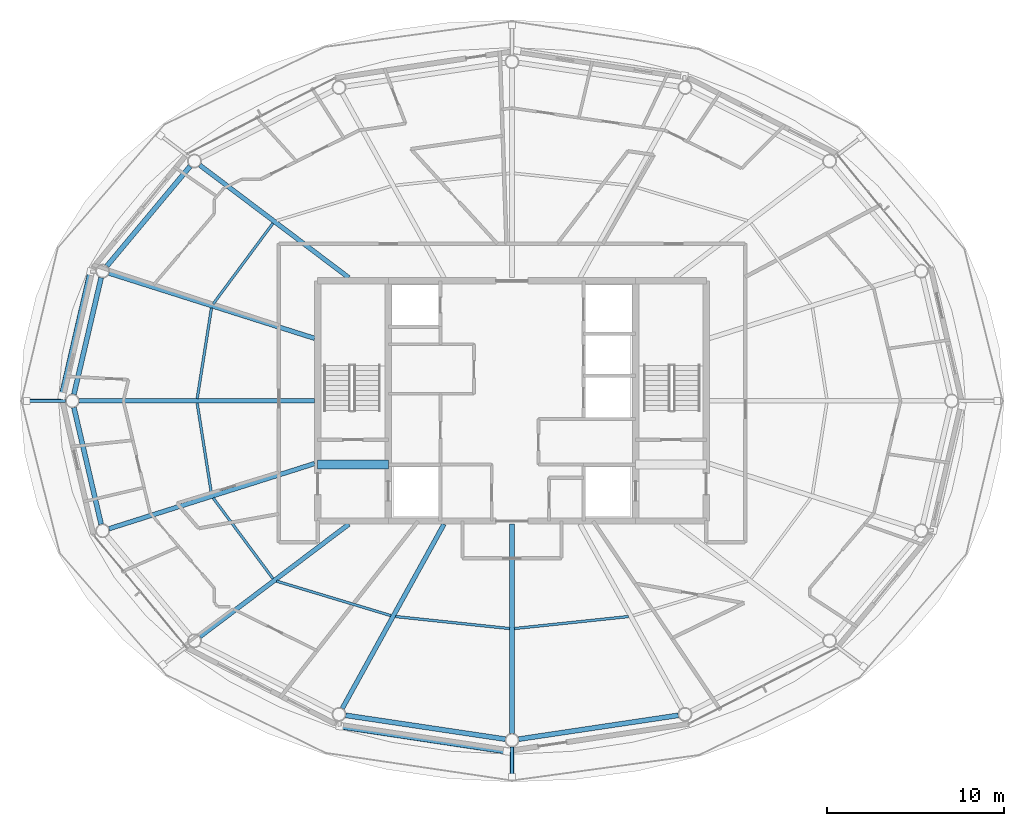
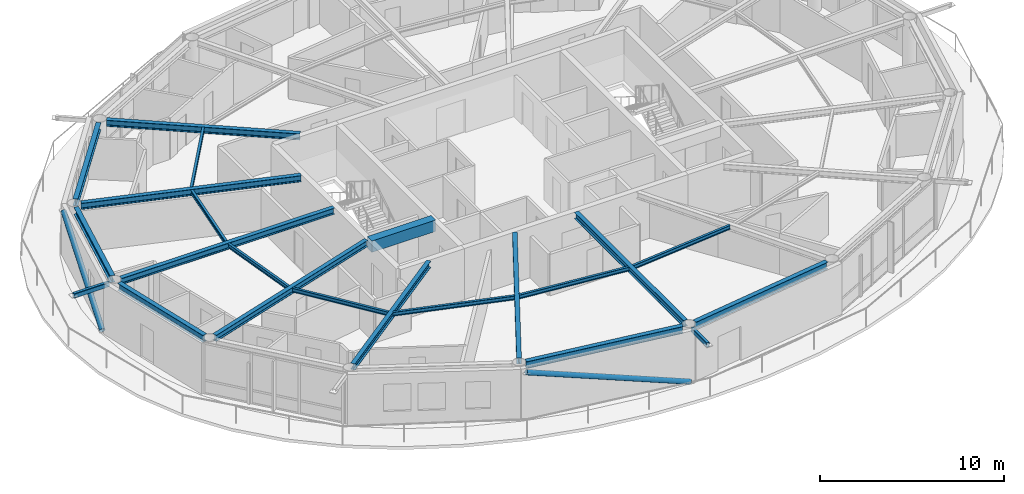
# One storey, part 4 of 22: 20 beams, 4 members.
"""IFC4 building model written with IfcOpenShell, lengths in metres."""

from ifc_helpers import new_model, si_unit, direction, frame, origin, origin_2d, place, context, subcontext, project, spatial, rectangle, hollow_rectangle, hollow_circle, i_section, extrude, material, material_profile, profile_set, type_object, element, save


model = new_model("IFC4")

# Units and contexts
model_context = context("Model", 3, precision=1e-05, world=origin(), true_north=direction((0.0, 1.0)))
body_context = subcontext(model_context, "Body", "Model", "MODEL_VIEW")
ifc_project = project(units=[si_unit("LENGTHUNIT", "METRE"), si_unit("AREAUNIT", "SQUARE_METRE"), si_unit("VOLUMEUNIT", "CUBIC_METRE"), si_unit("PLANEANGLEUNIT", "RADIAN"), si_unit("MASSUNIT", "GRAM", prefix="KILO")], contexts=[model_context])

# Site, building, storey
site_placement = place(None, origin())
site = spatial("IfcSite", under=ifc_project, at=site_placement, CompositionType="ELEMENT")
building_placement = place(site_placement, origin())
building = spatial("IfcBuilding", under=site, at=building_placement, Name="Sarneth Arch Tower", CompositionType="ELEMENT")
storey_placement = place(building_placement, frame((0.0, 0.0, 283.800048828125)))
storey = spatial("IfcBuildingStorey", under=building, at=storey_placement, Name="L73", CompositionType="ELEMENT", Elevation=283.800048828125)

# Beams
ifc_material_1 = material(Name="Steel S355", Category="steel")
ifc_material_profile_1 = material_profile(ifc_material_1, i_section(OverallWidth=0.14794921875, OverallDepth=0.26611328125, WebThickness=0.007568359375, FlangeThickness=0.012939453125, FilletRadius=0.012939453125, at=origin_2d()), Name="W250x44.8")
ifc_profile_set_1 = profile_set([ifc_material_profile_1], Name="Steel S355")
beam_type_1 = type_object("IfcBeamType", Name="BM-JOIST-250", PredefinedType="JOIST", material=ifc_profile_set_1)
beam_1_placement = place(storey_placement, frame((34.469482421875, 52.056396484375, 3.237060546875), z_axis=(-0.595431044136, -0.803406417499, 0.0), x_axis=(0.803406417499, -0.595431044136, 0.0)))
element("IfcBeam", 1, at=beam_1_placement, inside=storey, type_object=beam_type_1, Name="L73 Secondary floor joist 07", PredefinedType="JOIST", context=body_context, shape_type="SweptSolid", body=[
    extrude(i_section(OverallWidth=0.14794921875, OverallDepth=0.26611328125, WebThickness=0.007568359375, FlangeThickness=0.012939453125, FilletRadius=0.012939453125, at=origin_2d()), origin(), (0.0, 0.0, 1.0), 5.680419921875),
])
for number, where, z_axis, x_axis, name in (
    (2, (30.989501953125, 47.259765625, 3.237060546875), (-0.155520890899, -0.987832603478, 0.0), (0.987832603478, -0.155520890899, 0.0), "L73 Secondary floor joist 08"),
    (3, (30.181640625, 41.87158203125, 3.237060546875), (0.155520890899, -0.987832603478, 0.0), (0.987832603478, 0.155520890899, 0.0), "L73 Secondary floor joist 09"),
):
    element("IfcBeam", number, at=place(storey_placement, frame(where, z_axis=z_axis, x_axis=x_axis)), inside=storey, type_object=beam_type_1, Name=name, PredefinedType="JOIST", context=body_context, shape_type="SweptSolid", body=[
        extrude(i_section(OverallWidth=0.14794921875, OverallDepth=0.26611328125, WebThickness=0.007568359375, FlangeThickness=0.012939453125, FilletRadius=0.012939453125, at=origin_2d()), origin(), (0.0, 0.0, 1.0), 5.194580078125),
    ])
beam_2_placement = place(storey_placement, frame((31.087158203125, 36.50732421875, 3.237060546875), z_axis=(0.595431044136, -0.803406417499, 0.0), x_axis=(0.803406417499, 0.595431044136, 0.0)))
element("IfcBeam", 4, at=beam_2_placement, inside=storey, type_object=beam_type_1, Name="L73 Secondary floor joist 10", PredefinedType="JOIST", context=body_context, shape_type="SweptSolid", body=[
    extrude(i_section(OverallWidth=0.14794921875, OverallDepth=0.26611328125, WebThickness=0.007568359375, FlangeThickness=0.012939453125, FilletRadius=0.012939453125, at=origin_2d()), origin(), (0.0, 0.0, 1.0), 5.680419921875),
])
beam_3_placement = place(storey_placement, frame((34.67138671875, 31.801513671875, 3.237060546875), z_axis=(0.957373106971, -0.288854174367, 0.0), x_axis=(0.288854174367, 0.957373106971, 0.0)))
element("IfcBeam", 5, at=beam_3_placement, inside=storey, type_object=beam_type_1, Name="L73 Secondary floor joist 11", PredefinedType="JOIST", context=body_context, shape_type="SweptSolid", body=[
    extrude(i_section(OverallWidth=0.14794921875, OverallDepth=0.26611328125, WebThickness=0.007568359375, FlangeThickness=0.012939453125, FilletRadius=0.012939453125, at=origin_2d()), origin(), (0.0, 0.0, 1.0), 6.76416015625),
])
for number, where, z_axis, x_axis, name in (
    (6, (41.40087890625, 29.79638671875, 3.237060546875), (0.994526818736, -0.104481609938, 0.0), (0.104481609938, 0.994526818736, 0.0), "L73 Secondary floor joist 12"),
    (7, (48.12939453125, 29.11669921875, 3.237060546875), (0.994526818736, 0.104481609938, 0.0), (-0.104481609938, 0.994526818736, 0.0), "L73 Secondary floor joist 13"),
):
    element("IfcBeam", number, at=place(storey_placement, frame(where, z_axis=z_axis, x_axis=x_axis)), inside=storey, type_object=beam_type_1, Name=name, PredefinedType="JOIST", context=body_context, shape_type="SweptSolid", body=[
        extrude(i_section(OverallWidth=0.14794921875, OverallDepth=0.26611328125, WebThickness=0.007568359375, FlangeThickness=0.012939453125, FilletRadius=0.012939453125, at=origin_2d()), origin(), (0.0, 0.0, 1.0), 6.50537109375),
    ])
ifc_material_2 = material(Name="Concrete C50/60", Category="concrete")
ifc_material_profile_2 = material_profile(ifc_material_2, rectangle(XDim=0.5, YDim=0.75, at=origin_2d()), Name="RC-500x750")
ifc_profile_set_2 = profile_set([ifc_material_profile_2], Name="Concrete C50/60")
beam_type_2 = type_object("IfcBeamType", Name="BM-LINTEL-RC", PredefinedType="LINTEL", material=ifc_profile_set_2)
beam_4_placement = place(storey_placement, frame((37.0, 38.39990234375, 2.994873046875), z_axis=(1.0, 0.0, 0.0), x_axis=(0.0, 1.0, 0.0)))
element("IfcBeam", 8, at=beam_4_placement, inside=storey, type_object=beam_type_2, Name="L73 Core coupling lintel W", PredefinedType="LINTEL", context=body_context, shape_type="SweptSolid", body=[
    extrude(rectangle(XDim=0.5, YDim=0.75, at=origin_2d()), origin(), (0.0, 0.0, 1.0), 4.0),
])
ifc_material_3 = material(Name="Steel S355", Category="steel")
ifc_material_profile_3 = material_profile(ifc_material_3, i_section(OverallWidth=0.260009765625, OverallDepth=0.4150390625, WebThickness=0.010009765625, FlangeThickness=0.016845703125, FilletRadius=0.01611328125, at=origin_2d()), Name="W410x100")
ifc_profile_set_3 = profile_set([ifc_material_profile_3], Name="Steel S355")
beam_type_3 = type_object("IfcBeamType", Name="BM-RAD-410A", PredefinedType="BEAM", material=ifc_profile_set_3)
beam_5_placement = place(storey_placement, frame((38.76513671875, 48.97509765625, 3.162353515625), z_axis=(-0.797969745164, 0.602697507713, 0.0), x_axis=(-0.602697507713, -0.797969745164, 0.0)))
element("IfcBeam", 9, at=beam_5_placement, inside=storey, type_object=beam_type_3, Name="L73 Radial floor girder 07", PredefinedType="BEAM", context=body_context, shape_type="SweptSolid", body=[
    extrude(i_section(OverallWidth=0.260009765625, OverallDepth=0.4150390625, WebThickness=0.010009765625, FlangeThickness=0.016845703125, FilletRadius=0.01611328125, at=origin_2d()), origin(), (0.0, 0.0, 1.0), 10.572265625),
])
beam_6_placement = place(storey_placement, frame((36.824951171875, 45.5439453125, 3.162353515625), z_axis=(-0.953213623044, 0.302297517096, 0.0), x_axis=(-0.302297517096, -0.953213623044, 0.0)))
element("IfcBeam", 10, at=beam_6_placement, inside=storey, type_object=beam_type_3, Name="L73 Radial floor girder 08", PredefinedType="BEAM", context=body_context, shape_type="SweptSolid", body=[
    extrude(i_section(OverallWidth=0.260009765625, OverallDepth=0.4150390625, WebThickness=0.010009765625, FlangeThickness=0.016845703125, FilletRadius=0.01611328125, at=origin_2d()), origin(), (0.0, 0.0, 1.0), 12.201416015625),
])
beam_7_placement = place(storey_placement, frame((36.824951171875, 42.0, 3.162353515625), z_axis=(-1.0, 0.0, 0.0), x_axis=(0.0, -1.0, 0.0)))
element("IfcBeam", 11, at=beam_7_placement, inside=storey, type_object=beam_type_3, Name="L73 Radial floor girder 09", PredefinedType="BEAM", context=body_context, shape_type="SweptSolid", body=[
    extrude(i_section(OverallWidth=0.260009765625, OverallDepth=0.4150390625, WebThickness=0.010009765625, FlangeThickness=0.016845703125, FilletRadius=0.01611328125, at=origin_2d()), origin(), (0.0, 0.0, 1.0), 13.3271484375),
])
beam_8_placement = place(storey_placement, frame((36.824951171875, 38.4560546875, 3.162353515625), z_axis=(-0.953213623044, -0.302297517096, 0.0), x_axis=(0.302297517096, -0.953213623044, 0.0)))
element("IfcBeam", 12, at=beam_8_placement, inside=storey, type_object=beam_type_3, Name="L73 Radial floor girder 10", PredefinedType="BEAM", context=body_context, shape_type="SweptSolid", body=[
    extrude(i_section(OverallWidth=0.260009765625, OverallDepth=0.4150390625, WebThickness=0.010009765625, FlangeThickness=0.016845703125, FilletRadius=0.01611328125, at=origin_2d()), origin(), (0.0, 0.0, 1.0), 12.201416015625),
])
beam_9_placement = place(storey_placement, frame((38.76513671875, 35.02490234375, 3.162353515625), z_axis=(-0.797969745164, -0.602697507713, 0.0), x_axis=(0.602697507713, -0.797969745164, 0.0)))
element("IfcBeam", 13, at=beam_9_placement, inside=storey, type_object=beam_type_3, Name="L73 Radial floor girder 11", PredefinedType="BEAM", context=body_context, shape_type="SweptSolid", body=[
    extrude(i_section(OverallWidth=0.260009765625, OverallDepth=0.4150390625, WebThickness=0.010009765625, FlangeThickness=0.016845703125, FilletRadius=0.01611328125, at=origin_2d()), origin(), (0.0, 0.0, 1.0), 10.572265625),
])
beam_10_placement = place(storey_placement, frame((44.150146484375, 35.02490234375, 3.162353515625), z_axis=(-0.483231193732, -0.875492783182, 0.0), x_axis=(0.875492783182, -0.483231193732, 0.0)))
element("IfcBeam", 14, at=beam_10_placement, inside=storey, type_object=beam_type_3, Name="L73 Radial floor girder 12", PredefinedType="BEAM", context=body_context, shape_type="SweptSolid", body=[
    extrude(i_section(OverallWidth=0.260009765625, OverallDepth=0.4150390625, WebThickness=0.010009765625, FlangeThickness=0.016845703125, FilletRadius=0.01611328125, at=origin_2d()), origin(), (0.0, 0.0, 1.0), 11.913330078125),
])
beam_11_placement = place(storey_placement, frame((48.0, 35.02490234375, 3.162353515625), z_axis=(0.0, -1.0, 0.0), x_axis=(1.0, 0.0, 0.0)))
element("IfcBeam", 15, at=beam_11_placement, inside=storey, type_object=beam_type_3, Name="L73 Radial floor girder 13", PredefinedType="BEAM", context=body_context, shape_type="SweptSolid", body=[
    extrude(i_section(OverallWidth=0.260009765625, OverallDepth=0.4150390625, WebThickness=0.010009765625, FlangeThickness=0.016845703125, FilletRadius=0.01611328125, at=origin_2d()), origin(), (0.0, 0.0, 1.0), 11.843994140625),
])
ifc_material_4 = material(Name="Steel S355", Category="steel")
ifc_material_profile_4 = material_profile(ifc_material_4, i_section(OverallWidth=0.280029296875, OverallDepth=0.462890625, WebThickness=0.0107421875, FlangeThickness=0.017333984375, FilletRadius=0.01806640625, at=origin_2d()), Name="W460x113")
ifc_profile_set_4 = profile_set([ifc_material_profile_4], Name="Steel S355")
beam_type_4 = type_object("IfcBeamType", Name="BM-RAD-460A", PredefinedType="BEAM", material=ifc_profile_set_4)
beam_12_placement = place(storey_placement, frame((29.78076171875, 55.283935546875, 3.138427734375), z_axis=(-0.640377192996, -0.768060577487, 0.0), x_axis=(0.768060577487, -0.640377192996, 0.0)))
element("IfcBeam", 16, at=beam_12_placement, inside=storey, type_object=beam_type_4, Name="L73 Perimeter spandrel beam 07", PredefinedType="BEAM", context=body_context, shape_type="SweptSolid", body=[
    extrude(i_section(OverallWidth=0.280029296875, OverallDepth=0.462890625, WebThickness=0.0107421875, FlangeThickness=0.017333984375, FilletRadius=0.01806640625, at=origin_2d()), origin(), (0.0, 0.0, 1.0), 7.34814453125),
])
for number, where, z_axis, x_axis, name in (
    (17, (24.74462890625, 48.9765625, 3.138427734375), (-0.227227339933, -0.973841740729, 0.0), (0.973841740729, -0.227227339933, 0.0), "L73 Perimeter spandrel beam 08"),
    (18, (23.203369140625, 41.62890625, 3.138427734375), (0.227227339933, -0.973841740729, 0.0), (0.973841740729, 0.227227339933, 0.0), "L73 Perimeter spandrel beam 09"),
):
    element("IfcBeam", number, at=place(storey_placement, frame(where, z_axis=z_axis, x_axis=x_axis)), inside=storey, type_object=beam_type_4, Name=name, PredefinedType="BEAM", context=body_context, shape_type="SweptSolid", body=[
        extrude(i_section(OverallWidth=0.280029296875, OverallDepth=0.462890625, WebThickness=0.0107421875, FlangeThickness=0.017333984375, FilletRadius=0.01806640625, at=origin_2d()), origin(), (0.0, 0.0, 1.0), 6.782958984375),
    ])
for number, where, z_axis, x_axis, name in (
    (19, (38.5859375, 24.205322265625, 3.138427734375), (0.989040174637, -0.147646648973, 0.0), (0.147646648973, 0.989040174637, 0.0), "L73 Perimeter spandrel beam 12"),
    (20, (48.376708984375, 22.856201171875, 3.138427734375), (0.989040174637, 0.147646648973, 0.0), (-0.147646648973, 0.989040174637, 0.0), "L73 Perimeter spandrel beam 13"),
):
    element("IfcBeam", number, at=place(storey_placement, frame(where, z_axis=z_axis, x_axis=x_axis)), inside=storey, type_object=beam_type_4, Name=name, PredefinedType="BEAM", context=body_context, shape_type="SweptSolid", body=[
        extrude(i_section(OverallWidth=0.280029296875, OverallDepth=0.462890625, WebThickness=0.0107421875, FlangeThickness=0.017333984375, FilletRadius=0.01806640625, at=origin_2d()), origin(), (0.0, 0.0, 1.0), 9.137451171875),
    ])

# Members
ifc_material_5 = material(Name="Steel S355", Category="steel")
ifc_material_profile_5 = material_profile(ifc_material_5, hollow_rectangle(XDim=0.199951171875, YDim=0.300048828125, WallThickness=0.012451171875, InnerFilletRadius=0.018798828125, OuterFilletRadius=0.03125, at=origin_2d()), Name="RHS300x200x12.5")
ifc_profile_set_5 = profile_set([ifc_material_profile_5], Name="Steel S355")
member_type_1 = type_object("IfcMemberType", Name="MEM-CANT-STRUT", PredefinedType="STRUT", material=ifc_profile_set_5)
member_1_placement = place(storey_placement, frame((22.73583984375, 42.0, 3.2099609375), z_axis=(-1.0, 0.0, 0.0), x_axis=(0.0, -1.0, 0.0)))
element("IfcMember", 21, at=member_1_placement, inside=storey, type_object=member_type_1, Name="L73 Balcony cantilever bracket 09", PredefinedType="STRUT", context=body_context, shape_type="SweptSolid", body=[
    extrude(hollow_rectangle(XDim=0.199951171875, YDim=0.300048828125, WallThickness=0.012451171875, InnerFilletRadius=0.018798828125, OuterFilletRadius=0.03125, at=origin_2d()), origin(), (0.0, 0.0, 1.0), 2.20556640625),
])
member_2_placement = place(storey_placement, frame((48.0, 22.4189453125, 3.2099609375), z_axis=(0.0, -1.0, 0.0), x_axis=(1.0, 0.0, 0.0)))
element("IfcMember", 22, at=member_2_placement, inside=storey, type_object=member_type_1, Name="L73 Balcony cantilever bracket 13", PredefinedType="STRUT", context=body_context, shape_type="SweptSolid", body=[
    extrude(hollow_rectangle(XDim=0.199951171875, YDim=0.300048828125, WallThickness=0.012451171875, InnerFilletRadius=0.018798828125, OuterFilletRadius=0.03125, at=origin_2d()), origin(), (0.0, 0.0, 1.0), 1.682373046875),
])
ifc_material_6 = material(Name="Steel S355", Category="steel")
ifc_material_profile_6 = material_profile(ifc_material_6, hollow_circle(Radius=0.162109375, WallThickness=0.012451171875, at=origin_2d()), Name="CHS324x12.5")
ifc_profile_set_6 = profile_set([ifc_material_profile_6], Name="Steel S355")
member_type_2 = type_object("IfcMemberType", Name="MEM-DIAG-BR3", PredefinedType="BRACE", material=ifc_profile_set_6)
member_3_placement = place(storey_placement, frame((22.5234375, 42.292236328125, 0.02001953125), z_axis=(0.207345906073, 0.896276435764, 0.392041102347), x_axis=(-0.974268900284, 0.225388797281, 0.0)))
element("IfcMember", 23, at=member_3_placement, inside=storey, type_object=member_type_2, Name="L73 Perimeter frame diagonal 08", PredefinedType="BRACE", context=body_context, shape_type="SweptSolid", body=[
    extrude(hollow_circle(Radius=0.162109375, WallThickness=0.012451171875, at=origin_2d()), origin(), (0.0, 0.0, 1.0), 7.8359375),
])
member_4_placement = place(storey_placement, frame((47.703369140625, 22.16455078125, 0.02001953125), z_axis=(-0.941478053537, 0.141763681302, 0.305813886821), x_axis=(-0.148897148305, -0.988852688335, 0.0)))
element("IfcMember", 24, at=member_4_placement, inside=storey, type_object=member_type_2, Name="L73 Perimeter frame diagonal 12", PredefinedType="BRACE", context=body_context, shape_type="SweptSolid", body=[
    extrude(hollow_circle(Radius=0.162109375, WallThickness=0.012451171875, at=origin_2d()), origin(), (0.0, 0.0, 1.0), 10.04541015625),
])

save(model, "model.ifc")
